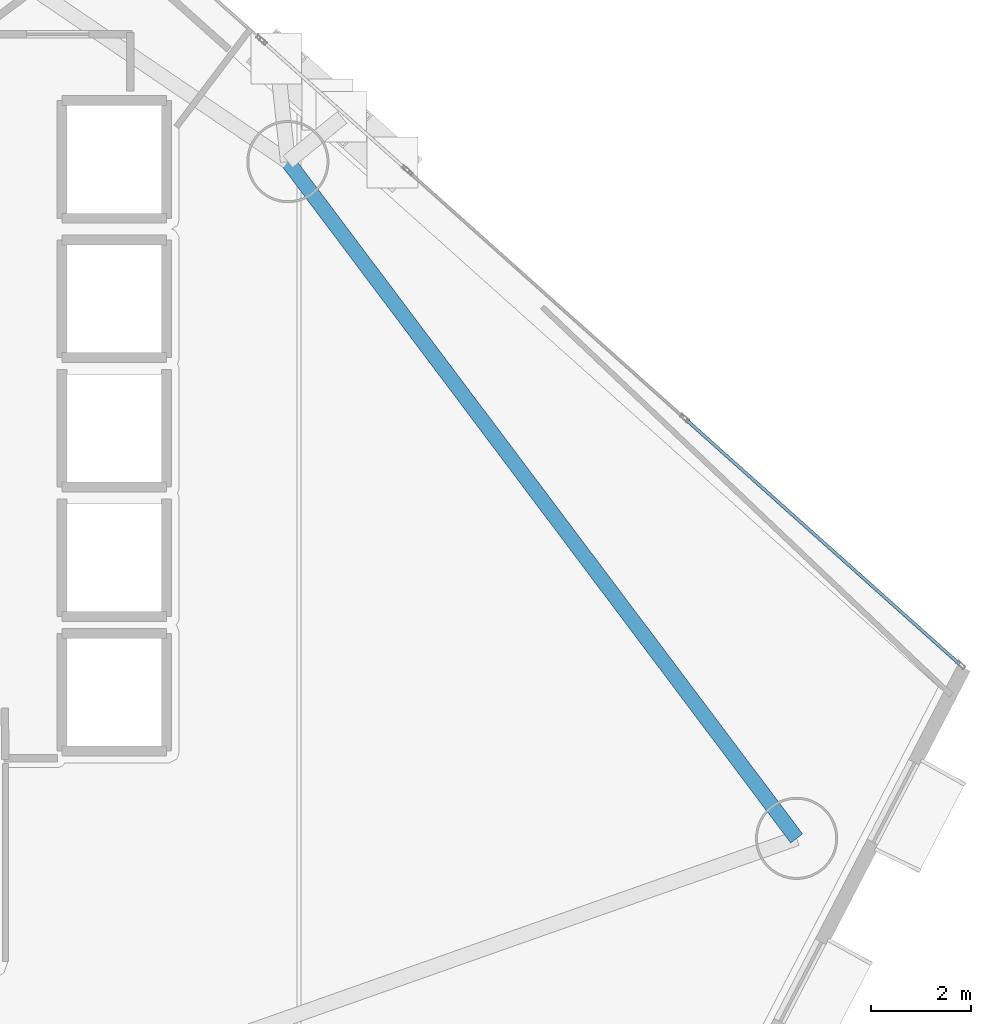
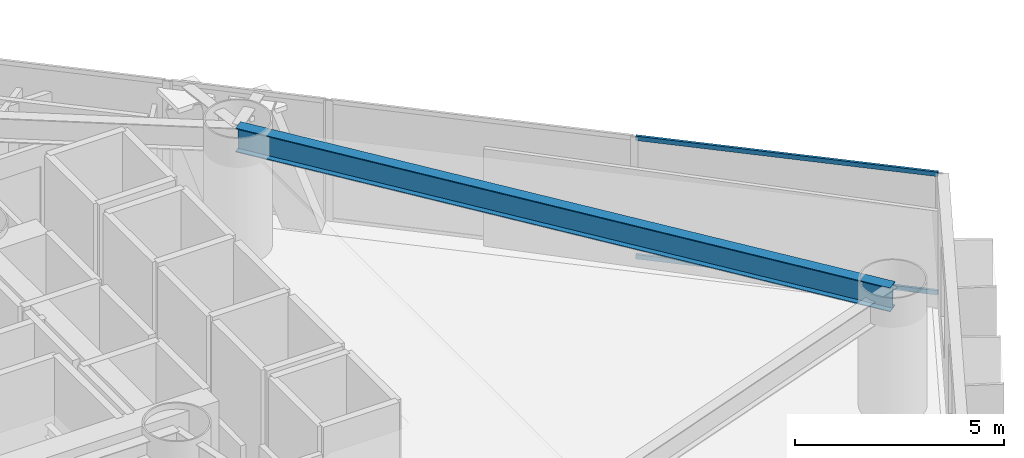
# One storey, part 14 of 24: 2 members, 1 beam, 1 element without a shape of its own.
"""IFC4 building model written with IfcOpenShell, lengths in metres."""

from ifc_helpers import new_model, si_unit, direction, frame, origin, origin_2d, place, context, subcontext, project, spatial, hollow_rectangle, i_section, extrude, material, layer, layer_set, material_profile, profile_set, type_object, element, aggregate, save


model = new_model("IFC4")

# Units and contexts
model_context = context("Model", 3, precision=1e-05, world=origin(), true_north=direction((0.0, 1.0)))
body_context = subcontext(model_context, "Body", "Model", "MODEL_VIEW")
ifc_project = project(units=[si_unit("LENGTHUNIT", "METRE"), si_unit("AREAUNIT", "SQUARE_METRE"), si_unit("VOLUMEUNIT", "CUBIC_METRE"), si_unit("PLANEANGLEUNIT", "RADIAN"), si_unit("MASSUNIT", "GRAM", prefix="KILO")], contexts=[model_context])

# Site, building, storey
site_placement = place(None, origin())
site = spatial("IfcSite", under=ifc_project, at=site_placement, CompositionType="ELEMENT")
building_placement = place(site_placement, origin())
building = spatial("IfcBuilding", under=site, at=building_placement, Name="Qianvela Tower", CompositionType="ELEMENT")
storey_placement = place(building_placement, frame((0.0, 0.0, 71.0)))
storey = spatial("IfcBuildingStorey", under=building, at=storey_placement, Name="L17", CompositionType="ELEMENT", Elevation=71.0)

# Beam
ifc_material_1 = material(Name="Steel Q355B", Category="steel")
ifc_material_profile_1 = material_profile(ifc_material_1, i_section(OverallWidth=0.300048828125, OverallDepth=0.699951171875, WebThickness=0.012939453125, FlangeThickness=0.02392578125, at=origin_2d()), Name="HN700x300x13x24")
ifc_profile_set_1 = profile_set([ifc_material_profile_1], Name="Steel Q355B")
beam_type = type_object("IfcBeamType", Name="BM-HN700-SPAND", PredefinedType="SPANDREL", material=ifc_profile_set_1)
beam_placement = place(storey_placement, frame((56.198974609375, 20.468017578125, 3.16796875), z_axis=(-0.600881979864, 0.799337754816, 0.0), x_axis=(-0.799337754816, -0.600881979864, 0.0)))
element("IfcBeam", 1, at=beam_placement, inside=storey, type_object=beam_type, Name="L17 Perimeter Ring Spandrel Girder 1", PredefinedType="SPANDREL", context=body_context, shape_type="SweptSolid", body=[
    extrude(i_section(OverallWidth=0.300048828125, OverallDepth=0.699951171875, WebThickness=0.012939453125, FlangeThickness=0.02392578125, at=origin_2d()), origin(), (0.0, 0.0, 1.0), 17.000244140625),
])

# Curtain wall, members
ifc_material_2 = material(Name="Anodised Architectural Aluminium and Low-E Glass", Category="aluminium")
ifc_layer = layer(ifc_material_2, 0.179931640625)
ifc_layer_set = layer_set([ifc_layer], Name="Anodised Architectural Aluminium and Low-E Glass")
curtain_wall_type = type_object("IfcCurtainWallType", Name="CW-COLIV-Z12", PredefinedType="USERDEFINED", material=ifc_layer_set)
curtain_wall_placement = place(storey_placement, origin())
curtain_wall = element("IfcCurtainWall", 2, at=curtain_wall_placement, inside=storey, type_object=curtain_wall_type, Name="L17 CW-COLIV-Z12 Curtain Wall 02A", ObjectType="CURTAIN_WALL_SYSTEM", PredefinedType="USERDEFINED")
ifc_material_3 = material(Name="Anodised Architectural Aluminium 6063-T6", Category="aluminium")
ifc_material_profile_2 = material_profile(ifc_material_3, hollow_rectangle(XDim=0.06494140625, YDim=0.1298828125, WallThickness=0.00439453125, at=origin_2d()), Name="ALU-TRAN-65x130")
ifc_profile_set_2 = profile_set([ifc_material_profile_2], Name="Anodised Architectural Aluminium 6063-T6")
member_type = type_object("IfcMemberType", Name="CW-COLIV-Z12-TRAN", PredefinedType="USERDEFINED", material=ifc_profile_set_2)
member_1_placement = place(storey_placement, frame((59.470458984375, 23.96875, 0.032470703125), z_axis=(-0.745551387746, 0.666448143691, 0.0), x_axis=(-0.666448143691, -0.745551387746, 0.0)))
member_1 = element("IfcMember", 3, at=member_1_placement, type_object=member_type, Name="CW-3 transom 1.1", ObjectType="TRANSOM", PredefinedType="USERDEFINED", context=body_context, shape_type="SweptSolid", body=[
    extrude(hollow_rectangle(XDim=0.06494140625, YDim=0.1298828125, WallThickness=0.00439453125, at=origin_2d()), origin(), (0.0, 0.0, 1.0), 7.3701171875),
])
member_2_placement = place(storey_placement, frame((59.470458984375, 23.96875, 3.487548828125), z_axis=(-0.745551387746, 0.666448143691, 0.0), x_axis=(-0.666448143691, -0.745551387746, 0.0)))
member_2 = element("IfcMember", 4, at=member_2_placement, type_object=member_type, Name="CW-3 transom 1.2", ObjectType="TRANSOM", PredefinedType="USERDEFINED", context=body_context, shape_type="SweptSolid", body=[
    extrude(hollow_rectangle(XDim=0.06494140625, YDim=0.1298828125, WallThickness=0.00439453125, at=origin_2d()), origin(), (0.0, 0.0, 1.0), 7.3701171875),
])
aggregate(curtain_wall, [member_1, member_2])

save(model, "model.ifc")
